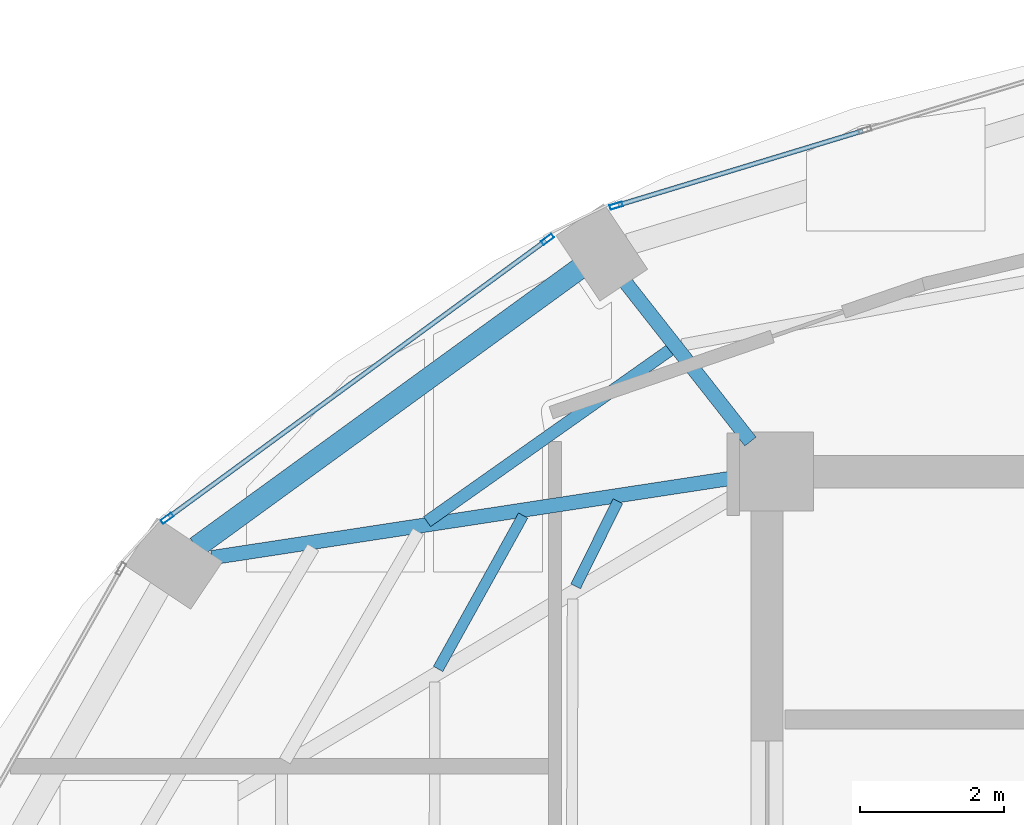
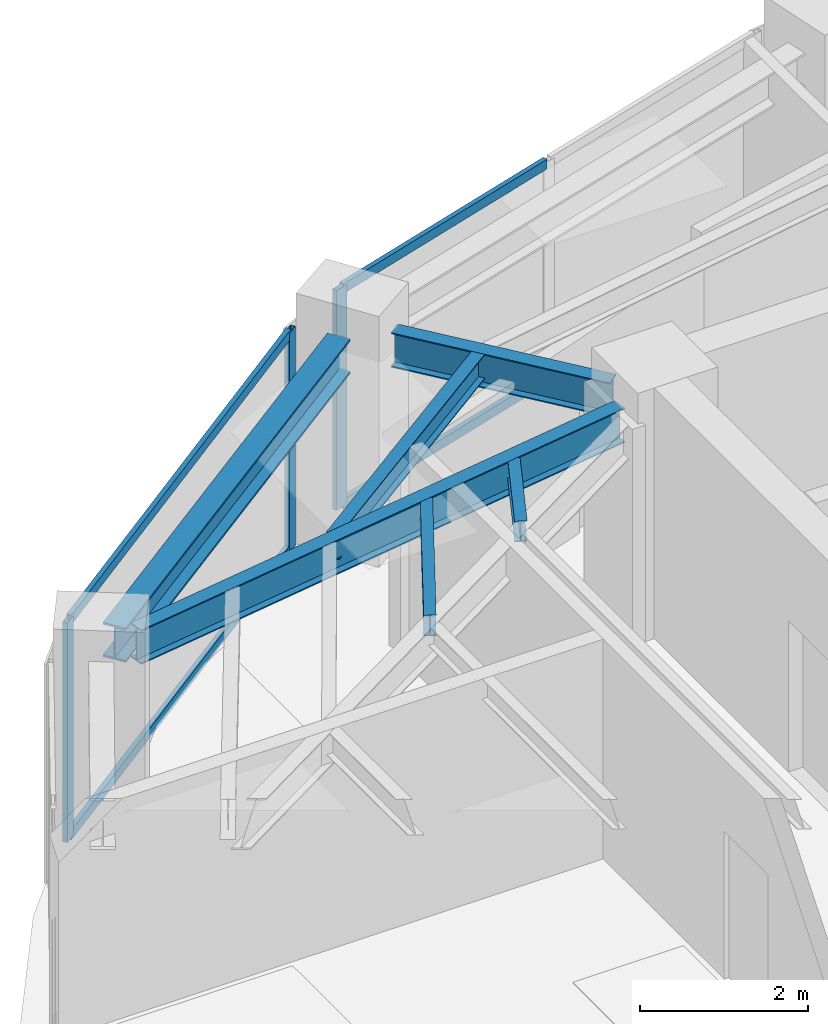
# One storey, part 10 of 22: 7 members, 6 beams, 2 elements without a shape of their own.
"""IFC4 building model written with IfcOpenShell, lengths in metres."""

from ifc_helpers import new_model, si_unit, direction, frame, origin, origin_2d, place, context, subcontext, project, spatial, hollow_rectangle, i_section, extrude, material, layer, layer_set, material_profile, profile_set, type_object, element, aggregate, save


model = new_model("IFC4")

# Units and contexts
model_context = context("Model", 3, precision=1e-05, world=origin(), true_north=direction((0.0, 1.0)))
body_context = subcontext(model_context, "Body", "Model", "MODEL_VIEW")
ifc_project = project(units=[si_unit("LENGTHUNIT", "METRE"), si_unit("AREAUNIT", "SQUARE_METRE"), si_unit("VOLUMEUNIT", "CUBIC_METRE"), si_unit("PLANEANGLEUNIT", "RADIAN"), si_unit("MASSUNIT", "GRAM", prefix="KILO")], contexts=[model_context])

# Site, building, storey
site_placement = place(None, origin())
site = spatial("IfcSite", under=ifc_project, at=site_placement, CompositionType="ELEMENT")
building_placement = place(site_placement, origin())
building = spatial("IfcBuilding", under=site, at=building_placement, Name="Lazwardi Medical Tower", CompositionType="ELEMENT")
storey_placement = place(building_placement, frame((0.0, 0.0, 242.256103515625)))
storey = spatial("IfcBuildingStorey", under=building, at=storey_placement, Name="L63", CompositionType="ELEMENT", Elevation=242.256103515625)

# Beams
ifc_material_1 = material(Name="Steel S355", Category="steel")
ifc_material_profile_1 = material_profile(ifc_material_1, i_section(OverallWidth=0.300048828125, OverallDepth=0.5, WebThickness=0.014404296875, FlangeThickness=0.028076171875, at=origin_2d()), Name="HEB 500")
ifc_profile_set_1 = profile_set([ifc_material_profile_1], Name="Steel S355")
beam_type_1 = type_object("IfcBeamType", Name="BM-RB-Z4", PredefinedType="BEAM", material=ifc_profile_set_1)
beam_1_placement = place(storey_placement, frame((23.68408203125, 38.4248046875, 2.947998046875), z_axis=(-0.808889916254, -0.587960120571, 0.0), x_axis=(0.587960120571, -0.808889916254, 0.0)))
element("IfcBeam", 1, at=beam_1_placement, inside=storey, type_object=beam_type_1, Name="Ring beam RB-05 B10 L63", PredefinedType="BEAM", context=body_context, shape_type="SweptSolid", body=[
    extrude(i_section(OverallWidth=0.300048828125, OverallDepth=0.5, WebThickness=0.014404296875, FlangeThickness=0.028076171875, at=origin_2d()), origin(), (0.0, 0.0, 1.0), 6.587158203125),
])
ifc_material_profile_2 = material_profile(ifc_material_1, i_section(OverallWidth=0.199951171875, OverallDepth=0.5, WebThickness=0.01025390625, FlangeThickness=0.01611328125, at=origin_2d()), Name="IPE 500")
ifc_profile_set_2 = profile_set([ifc_material_profile_2], Name="Steel S355")
beam_type_2 = type_object("IfcBeamType", Name="BM-RG-W3", PredefinedType="BEAM", material=ifc_profile_set_2)
beam_2_placement = place(storey_placement, frame((24.330322265625, 38.2333984375, 2.947998046875), z_axis=(0.617890508382, -0.786264153864, 0.0), x_axis=(0.786264153864, 0.617890508382, 0.0)))
element("IfcBeam", 2, at=beam_2_placement, inside=storey, type_object=beam_type_2, Name="Radial girder RG-04 R10 L63", PredefinedType="BEAM", context=body_context, shape_type="SweptSolid", body=[
    extrude(i_section(OverallWidth=0.199951171875, OverallDepth=0.5, WebThickness=0.01025390625, FlangeThickness=0.01611328125, at=origin_2d()), origin(), (0.0, 0.0, 1.0), 2.814453125),
])
beam_3_placement = place(storey_placement, frame((18.569091796875, 34.4033203125, 2.947998046875), z_axis=(0.988522137285, 0.151076087115, 0.0), x_axis=(-0.151076087115, 0.988522137285, 0.0)))
element("IfcBeam", 3, at=beam_3_placement, inside=storey, type_object=beam_type_2, Name="Radial girder RG-04 R11 L63", PredefinedType="BEAM", context=body_context, shape_type="SweptSolid", body=[
    extrude(i_section(OverallWidth=0.199951171875, OverallDepth=0.5, WebThickness=0.01025390625, FlangeThickness=0.01611328125, at=origin_2d()), origin(), (0.0, 0.0, 1.0), 7.38671875),
])
ifc_material_profile_3 = material_profile(ifc_material_1, i_section(OverallWidth=0.169921875, OverallDepth=0.360107421875, WebThickness=0.008056640625, FlangeThickness=0.0126953125, at=origin_2d()), Name="IPE 360")
ifc_profile_set_3 = profile_set([ifc_material_profile_3], Name="Steel S355")
beam_type_3 = type_object("IfcBeamType", Name="BM-SJ-02", PredefinedType="JOIST", material=ifc_profile_set_3)
beam_4_placement = place(storey_placement, frame((24.948486328125, 37.29345703125, 3.017822265625), z_axis=(-0.816711190406, -0.577046645832, 0.0), x_axis=(0.577046645832, -0.816711190406, 0.0)))
element("IfcBeam", 4, at=beam_4_placement, inside=storey, type_object=beam_type_3, Name="Secondary joist SJ-02 R2 B10 L63", PredefinedType="JOIST", context=body_context, shape_type="SweptSolid", body=[
    extrude(i_section(OverallWidth=0.169921875, OverallDepth=0.360107421875, WebThickness=0.008056640625, FlangeThickness=0.0126953125, at=origin_2d()), origin(), (0.0, 0.0, 1.0), 4.139892578125),
])
ifc_material_profile_4 = material_profile(ifc_material_1, i_section(OverallWidth=0.14990234375, OverallDepth=0.300048828125, WebThickness=0.007080078125, FlangeThickness=0.0107421875, at=origin_2d()), Name="IPE 300")
ifc_profile_set_4 = profile_set([ifc_material_profile_4], Name="Steel S355")
beam_type_4 = type_object("IfcBeamType", Name="BM-SJ-03", PredefinedType="JOIST", material=ifc_profile_set_4)
beam_5_placement = place(storey_placement, frame((22.904296875, 34.98974609375, 3.0478515625), z_axis=(-0.484751625998, -0.874651851363, 0.0), x_axis=(0.874651851363, -0.484751625998, 0.0)))
element("IfcBeam", 5, at=beam_5_placement, inside=storey, type_object=beam_type_4, Name="Secondary joist SJ-03 R3 B11 L63", PredefinedType="JOIST", context=body_context, shape_type="SweptSolid", body=[
    extrude(i_section(OverallWidth=0.14990234375, OverallDepth=0.300048828125, WebThickness=0.007080078125, FlangeThickness=0.0107421875, at=origin_2d()), origin(), (0.0, 0.0, 1.0), 2.442626953125),
])
beam_6_placement = place(storey_placement, frame((24.222412109375, 35.188720703125, 3.0478515625), z_axis=(-0.443587297772, -0.89623116954, 0.0), x_axis=(0.89623116954, -0.443587297772, 0.0)))
element("IfcBeam", 6, at=beam_6_placement, inside=storey, type_object=beam_type_4, Name="Secondary joist SJ-03 R4 B11 L63", PredefinedType="JOIST", context=body_context, shape_type="SweptSolid", body=[
    extrude(i_section(OverallWidth=0.14990234375, OverallDepth=0.300048828125, WebThickness=0.007080078125, FlangeThickness=0.0107421875, at=origin_2d()), origin(), (0.0, 0.0, 1.0), 1.32080078125),
])

# Curtain wall, member
ifc_material_2 = material(Name="Anodised bronze aluminium and solar control glazing", Category="aluminium")
ifc_layer = layer(ifc_material_2, 0.18994140625)
ifc_layer_set = layer_set([ifc_layer], Name="Anodised bronze aluminium and solar control glazing")
curtain_wall_type = type_object("IfcCurtainWallType", Name="CW-SYS-04", PredefinedType="NOTDEFINED", material=ifc_layer_set)
curtain_wall_1_placement = place(storey_placement, origin())
curtain_wall_1 = element("IfcCurtainWall", 7, at=curtain_wall_1_placement, inside=storey, type_object=curtain_wall_type, Name="L63 Unitised bronze curtain wall CW-04", PredefinedType="NOTDEFINED")
ifc_material_3 = material(Name="Anodised bronze aluminium", Category="aluminium")
ifc_material_profile_5 = material_profile(ifc_material_3, hollow_rectangle(XDim=0.06494140625, YDim=0.179931640625, WallThickness=0.00390625, at=origin_2d()), Name="ALU-MULLION 180x65x4")
ifc_profile_set_5 = profile_set([ifc_material_profile_5], Name="Anodised bronze aluminium")
member_type_1 = type_object("IfcMemberType", Name="CW-MUL-03", PredefinedType="MULLION", material=ifc_profile_set_5)
member_1_placement = place(storey_placement, frame((24.2001953125, 39.303466796875, 0.0), z_axis=(0.0, 0.0, 1.0), x_axis=(0.290581889515, -0.956850126972, 0.0)))
member_1 = element("IfcMember", 8, at=member_1_placement, type_object=member_type_1, Name="CW-04 mullion 3", PredefinedType="MULLION", context=body_context, shape_type="SweptSolid", body=[
    extrude(hollow_rectangle(XDim=0.06494140625, YDim=0.179931640625, WallThickness=0.00390625, at=origin_2d()), origin(), (0.0, 0.0, 1.0), 3.197998046875),
])

# Curtain wall, members
curtain_wall_2_placement = place(storey_placement, origin())
curtain_wall_2 = element("IfcCurtainWall", 9, at=curtain_wall_2_placement, inside=storey, type_object=curtain_wall_type, Name="L63 Unitised bronze curtain wall CW-04", PredefinedType="NOTDEFINED")
member_2_placement = place(storey_placement, frame((23.24462890625, 38.8349609375, 0.0), z_axis=(0.0, 0.0, 1.0), x_axis=(0.591268230971, -0.806474971121, 0.0)))
member_2 = element("IfcMember", 10, at=member_2_placement, type_object=member_type_1, Name="CW-04 mullion 1", PredefinedType="MULLION", context=body_context, shape_type="SweptSolid", body=[
    extrude(hollow_rectangle(XDim=0.06494140625, YDim=0.179931640625, WallThickness=0.00390625, at=origin_2d()), origin(), (0.0, 0.0, 1.0), 3.197998046875),
])
member_3_placement = place(storey_placement, frame((17.947998046875, 34.95166015625, 0.0), z_axis=(0.0, 0.0, 1.0), x_axis=(0.591268230971, -0.806474971121, 0.0)))
member_3 = element("IfcMember", 11, at=member_3_placement, type_object=member_type_1, Name="CW-04 mullion 2", PredefinedType="MULLION", context=body_context, shape_type="SweptSolid", body=[
    extrude(hollow_rectangle(XDim=0.06494140625, YDim=0.179931640625, WallThickness=0.00390625, at=origin_2d()), origin(), (0.0, 0.0, 1.0), 3.197998046875),
])

# Member
ifc_material_profile_6 = material_profile(ifc_material_3, hollow_rectangle(XDim=0.06494140625, YDim=0.139892578125, WallThickness=0.00341796875, at=origin_2d()), Name="ALU-TRANSOM 140x65x3.5")
ifc_profile_set_6 = profile_set([ifc_material_profile_6], Name="Anodised bronze aluminium")
member_type_2 = type_object("IfcMemberType", Name="CW-TRN-03", PredefinedType="USERDEFINED", material=ifc_profile_set_6)
member_4_placement = place(storey_placement, frame((27.632568359375, 40.345947265625, 0.032470703125), z_axis=(-0.956843409009, -0.290604010015, 0.0), x_axis=(0.290604010015, -0.956843409009, 0.0)))
member_4 = element("IfcMember", 12, at=member_4_placement, type_object=member_type_2, Name="CW-04 transom 2.1", ObjectType="TRANSOM", PredefinedType="USERDEFINED", context=body_context, shape_type="SweptSolid", body=[
    extrude(hollow_rectangle(XDim=0.06494140625, YDim=0.139892578125, WallThickness=0.00341796875, at=origin_2d()), origin(), (0.0, 0.0, 1.0), 3.554443359375),
])

member_5_placement = place(storey_placement, frame((27.632568359375, 40.345947265625, 3.165283203125), z_axis=(-0.956843409009, -0.290604010015, 0.0), x_axis=(0.290604010015, -0.956843409009, 0.0)))
member_5 = element("IfcMember", 13, at=member_5_placement, type_object=member_type_2, Name="CW-04 transom 2.2", ObjectType="TRANSOM", PredefinedType="USERDEFINED", context=body_context, shape_type="SweptSolid", body=[
    extrude(hollow_rectangle(XDim=0.06494140625, YDim=0.139892578125, WallThickness=0.00341796875, at=origin_2d()), origin(), (0.0, 0.0, 1.0), 3.554443359375),
])

aggregate(curtain_wall_1, [member_1, member_4, member_5])

member_6_placement = place(storey_placement, frame((23.218505859375, 38.815673828125, 0.032470703125), z_axis=(-0.80648973359, -0.591248094808, 0.0), x_axis=(0.591248094808, -0.80648973359, 0.0)))
member_6 = element("IfcMember", 14, at=member_6_placement, type_object=member_type_2, Name="CW-04 transom 1.1", ObjectType="TRANSOM", PredefinedType="USERDEFINED", context=body_context, shape_type="SweptSolid", body=[
    extrude(hollow_rectangle(XDim=0.06494140625, YDim=0.139892578125, WallThickness=0.00341796875, at=origin_2d()), origin(), (0.0, 0.0, 1.0), 6.502685546875),
])

member_7_placement = place(storey_placement, frame((23.218505859375, 38.815673828125, 3.165283203125), z_axis=(-0.80648973359, -0.591248094808, 0.0), x_axis=(0.591248094808, -0.80648973359, 0.0)))
member_7 = element("IfcMember", 15, at=member_7_placement, type_object=member_type_2, Name="CW-04 transom 1.2", ObjectType="TRANSOM", PredefinedType="USERDEFINED", context=body_context, shape_type="SweptSolid", body=[
    extrude(hollow_rectangle(XDim=0.06494140625, YDim=0.139892578125, WallThickness=0.00341796875, at=origin_2d()), origin(), (0.0, 0.0, 1.0), 6.502685546875),
])

aggregate(curtain_wall_2, [member_2, member_3, member_6, member_7])

save(model, "model.ifc")
